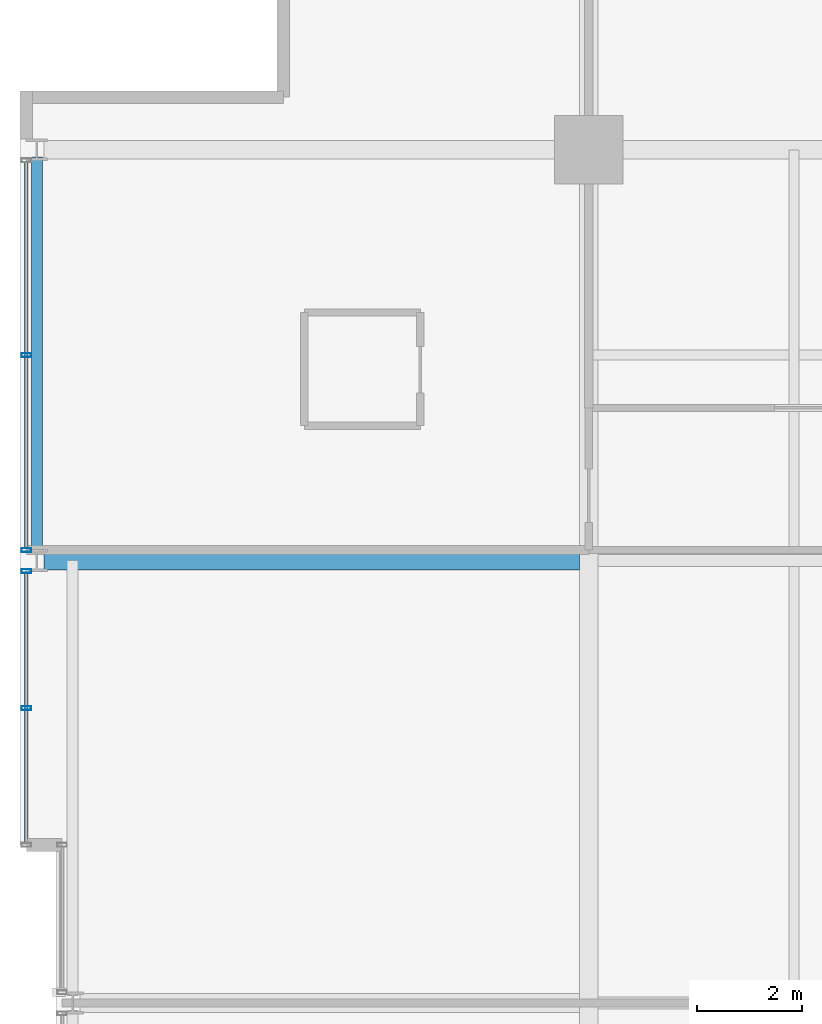
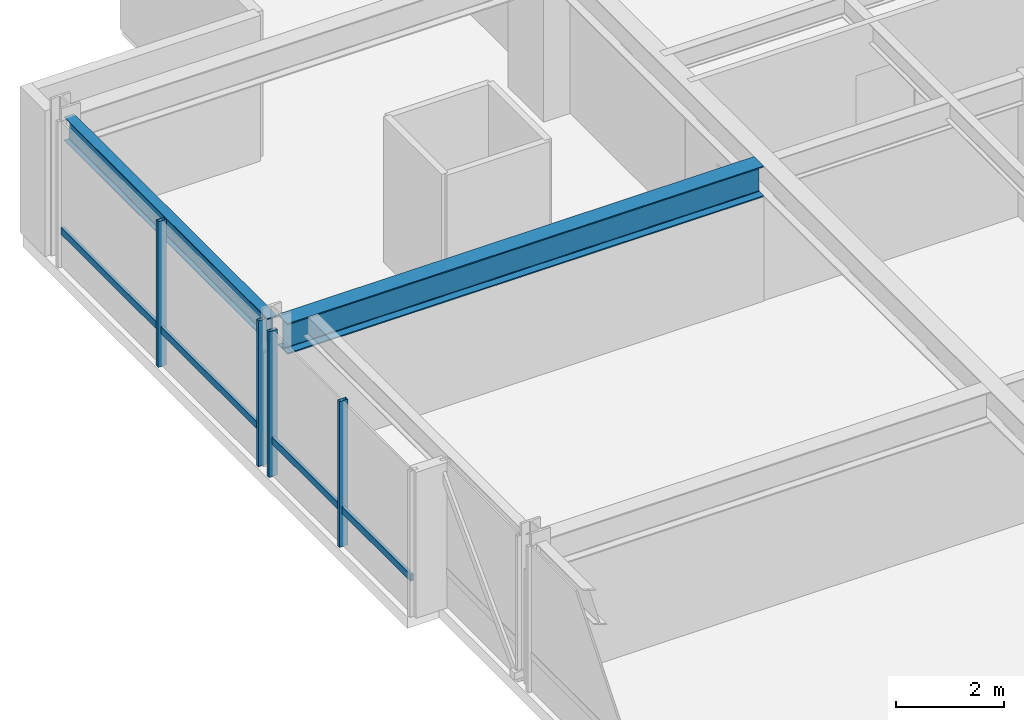
# One storey, part 17 of 33: 6 members, 2 beams, 2 elements without a shape of their own.
"""IFC4 building model written with IfcOpenShell, lengths in metres."""

from ifc_helpers import new_model, si_unit, direction, frame, origin, origin_2d, place, context, subcontext, project, spatial, hollow_rectangle, i_section, extrude, material, layer, layer_set, material_profile, profile_set, type_object, element, aggregate, save


model = new_model("IFC4")

# Units and contexts
model_context = context("Model", 3, precision=1e-05, world=origin(), true_north=direction((0.0, 1.0)))
body_context = subcontext(model_context, "Body", "Model", "MODEL_VIEW")
ifc_project = project(units=[si_unit("LENGTHUNIT", "METRE"), si_unit("AREAUNIT", "SQUARE_METRE"), si_unit("VOLUMEUNIT", "CUBIC_METRE"), si_unit("PLANEANGLEUNIT", "RADIAN"), si_unit("MASSUNIT", "GRAM", prefix="KILO")], contexts=[model_context])

# Site, building, storey
site_placement = place(None, origin())
site = spatial("IfcSite", under=ifc_project, at=site_placement, CompositionType="ELEMENT")
building_placement = place(site_placement, origin())
building = spatial("IfcBuilding", under=site, at=building_placement, Name="Drelvath Grand Hotel", CompositionType="ELEMENT")
storey_placement = place(building_placement, frame((0.0, 0.0, 161.050048828125)))
storey = spatial("IfcBuildingStorey", under=building, at=storey_placement, Name="L41", CompositionType="ELEMENT", Elevation=161.050048828125)

# Curtain wall, member
ifc_material_1 = material(Name="Brushed Pale-Silver Anodised Aluminium Frame", Category="aluminium")
ifc_layer = layer(ifc_material_1, 0.199951171875)
ifc_layer_set = layer_set([ifc_layer], Name="Brushed Pale-Silver Anodised Aluminium Frame")
curtain_wall_type = type_object("IfcCurtainWallType", Name="Stick Curtain Wall CW-04 Brushed Silver Upper-Mid", PredefinedType="NOTDEFINED", material=ifc_layer_set)
curtain_wall_1_placement = place(storey_placement, origin())
curtain_wall_1 = element("IfcCurtainWall", 1, at=curtain_wall_1_placement, inside=storey, type_object=curtain_wall_type, Name="L41 CW-04 Curtain Wall CW04-L41-WN1", PredefinedType="NOTDEFINED")
ifc_material_profile_1 = material_profile(ifc_material_1, hollow_rectangle(XDim=0.06494140625, YDim=0.159912109375, WallThickness=0.00390625, at=origin_2d()), Name="HSS160X65X4")
ifc_profile_set_1 = profile_set([ifc_material_profile_1], Name="Brushed Pale-Silver Anodised Aluminium Frame")
member_type_1 = type_object("IfcMemberType", Name="Curtain Wall Horizontal Transom CW-04 HSS160X65X4", PredefinedType="USERDEFINED", material=ifc_profile_set_1)
member_1_placement = place(storey_placement, frame((-26.8798828125, 30.0400390625, 0.822509765625), z_axis=(0.0, 1.0, 0.0), x_axis=(-1.0, 0.0, 0.0)))
member_1 = element("IfcMember", 2, at=member_1_placement, type_object=member_type_1, Name="CW04-L41-WN1 Sill Transom", ObjectType="TRANSOM", PredefinedType="USERDEFINED", context=body_context, shape_type="SweptSolid", body=[
    extrude(hollow_rectangle(XDim=0.06494140625, YDim=0.159912109375, WallThickness=0.00390625, at=origin_2d()), origin(), (0.0, 0.0, 1.0), 5.119873046875),
])

curtain_wall_2_placement = place(storey_placement, origin())
curtain_wall_2 = element("IfcCurtainWall", 3, at=curtain_wall_2_placement, inside=storey, type_object=curtain_wall_type, Name="L41 CW-04 Curtain Wall CW04-L41-WN2", PredefinedType="NOTDEFINED")
member_2_placement = place(storey_placement, frame((-26.8798828125, 35.639892578125, 0.822509765625), z_axis=(0.0, 1.0, 0.0), x_axis=(-1.0, 0.0, 0.0)))
member_2 = element("IfcMember", 4, at=member_2_placement, type_object=member_type_1, Name="CW04-L41-WN2 Sill Transom", ObjectType="TRANSOM", PredefinedType="USERDEFINED", context=body_context, shape_type="SweptSolid", body=[
    extrude(hollow_rectangle(XDim=0.06494140625, YDim=0.159912109375, WallThickness=0.00390625, at=origin_2d()), origin(), (0.0, 0.0, 1.0), 7.320068359375),
])

# Member
ifc_material_profile_2 = material_profile(ifc_material_1, hollow_rectangle(XDim=0.074951171875, YDim=0.179931640625, WallThickness=0.0048828125, at=origin_2d()), Name="HSS180X75X5")
ifc_profile_set_2 = profile_set([ifc_material_profile_2], Name="Brushed Pale-Silver Anodised Aluminium Frame")
member_type_2 = type_object("IfcMemberType", Name="Curtain Wall Vertical Mullion CW-04 HSS180X75X5", PredefinedType="MULLION", material=ifc_profile_set_2)
member_3_placement = place(storey_placement, frame((-26.8798828125, 32.60009765625, 0.0), z_axis=(0.0, 0.0, 1.0), x_axis=(0.0, 1.0, 0.0)))
member_3 = element("IfcMember", 5, at=member_3_placement, type_object=member_type_2, Name="CW04-L41-WN1 Mullion 2", PredefinedType="MULLION", context=body_context, shape_type="SweptSolid", body=[
    extrude(hollow_rectangle(XDim=0.074951171875, YDim=0.179931640625, WallThickness=0.0048828125, at=origin_2d()), origin(), (0.0, 0.0, 1.0), 3.2900390625),
])

member_4_placement = place(storey_placement, frame((-26.8798828125, 35.199951171875, 0.0), z_axis=(0.0, 0.0, 1.0), x_axis=(0.0, 1.0, 0.0)))
member_4 = element("IfcMember", 6, at=member_4_placement, type_object=member_type_2, Name="CW04-L41-WN1 Mullion 3", PredefinedType="MULLION", context=body_context, shape_type="SweptSolid", body=[
    extrude(hollow_rectangle(XDim=0.074951171875, YDim=0.179931640625, WallThickness=0.0048828125, at=origin_2d()), origin(), (0.0, 0.0, 1.0), 3.2900390625),
])

aggregate(curtain_wall_1, [member_3, member_4, member_1])

member_5_placement = place(storey_placement, frame((-26.8798828125, 35.60009765625, 0.0), z_axis=(0.0, 0.0, 1.0), x_axis=(0.0, 1.0, 0.0)))
member_5 = element("IfcMember", 7, at=member_5_placement, type_object=member_type_2, Name="CW04-L41-WN2 Mullion 1", PredefinedType="MULLION", context=body_context, shape_type="SweptSolid", body=[
    extrude(hollow_rectangle(XDim=0.074951171875, YDim=0.179931640625, WallThickness=0.0048828125, at=origin_2d()), origin(), (0.0, 0.0, 1.0), 3.2900390625),
])

member_6_placement = place(storey_placement, frame((-26.8798828125, 39.300048828125, 0.0), z_axis=(0.0, 0.0, 1.0), x_axis=(0.0, 1.0, 0.0)))
member_6 = element("IfcMember", 8, at=member_6_placement, type_object=member_type_2, Name="CW04-L41-WN2 Mullion 2", PredefinedType="MULLION", context=body_context, shape_type="SweptSolid", body=[
    extrude(hollow_rectangle(XDim=0.074951171875, YDim=0.179931640625, WallThickness=0.0048828125, at=origin_2d()), origin(), (0.0, 0.0, 1.0), 3.2900390625),
])

aggregate(curtain_wall_2, [member_5, member_6, member_2])

# Beams
ifc_material_2 = material(Name="Steel ASTM A992 Gr 50", Category="steel")
ifc_material_profile_3 = material_profile(ifc_material_2, i_section(OverallWidth=0.210205078125, OverallDepth=0.53662109375, WebThickness=0.010986328125, FlangeThickness=0.017333984375, FilletRadius=0.01806640625, at=origin_2d()), Name="W21X68")
ifc_profile_set_3 = profile_set([ifc_material_profile_3], Name="Steel ASTM A992 Gr 50")
beam_type_1 = type_object("IfcBeamType", Name="Perimeter Spandrel Beam W21X68", PredefinedType="SPANDREL", material=ifc_profile_set_3)
beam_1_placement = place(storey_placement, frame((-26.679931640625, 35.5400390625, 3.021728515625), z_axis=(0.0, 1.0, 0.0), x_axis=(-1.0, 0.0, 0.0)))
element("IfcBeam", 9, at=beam_1_placement, inside=storey, type_object=beam_type_1, Name="L41 Spandrel West N", PredefinedType="SPANDREL", context=body_context, shape_type="SweptSolid", body=[
    extrude(i_section(OverallWidth=0.210205078125, OverallDepth=0.53662109375, WebThickness=0.010986328125, FlangeThickness=0.017333984375, FilletRadius=0.01806640625, at=origin_2d()), origin(), (0.0, 0.0, 1.0), 7.52001953125),
])
ifc_material_profile_4 = material_profile(ifc_material_2, i_section(OverallWidth=0.354736328125, OverallDepth=0.695556640625, WebThickness=0.015380859375, FlangeThickness=0.025146484375, FilletRadius=0.02392578125, at=origin_2d()), Name="W27X146")
ifc_profile_set_4 = profile_set([ifc_material_profile_4], Name="Steel ASTM A992 Gr 50")
beam_type_2 = type_object("IfcBeamType", Name="Primary Floor Girder W27X146", PredefinedType="BEAM", material=ifc_profile_set_4)
beam_2_placement = place(storey_placement, frame((-26.5400390625, 35.39990234375, 2.942138671875), z_axis=(1.0, 0.0, 0.0), x_axis=(0.0, 1.0, 0.0)))
element("IfcBeam", 10, at=beam_2_placement, inside=storey, type_object=beam_type_2, Name="L41 West Wing Girder F", PredefinedType="BEAM", context=body_context, shape_type="SweptSolid", body=[
    extrude(i_section(OverallWidth=0.354736328125, OverallDepth=0.695556640625, WebThickness=0.015380859375, FlangeThickness=0.025146484375, FilletRadius=0.02392578125, at=origin_2d()), origin(), (0.0, 0.0, 1.0), 10.16259765625),
])

save(model, "model.ifc")
